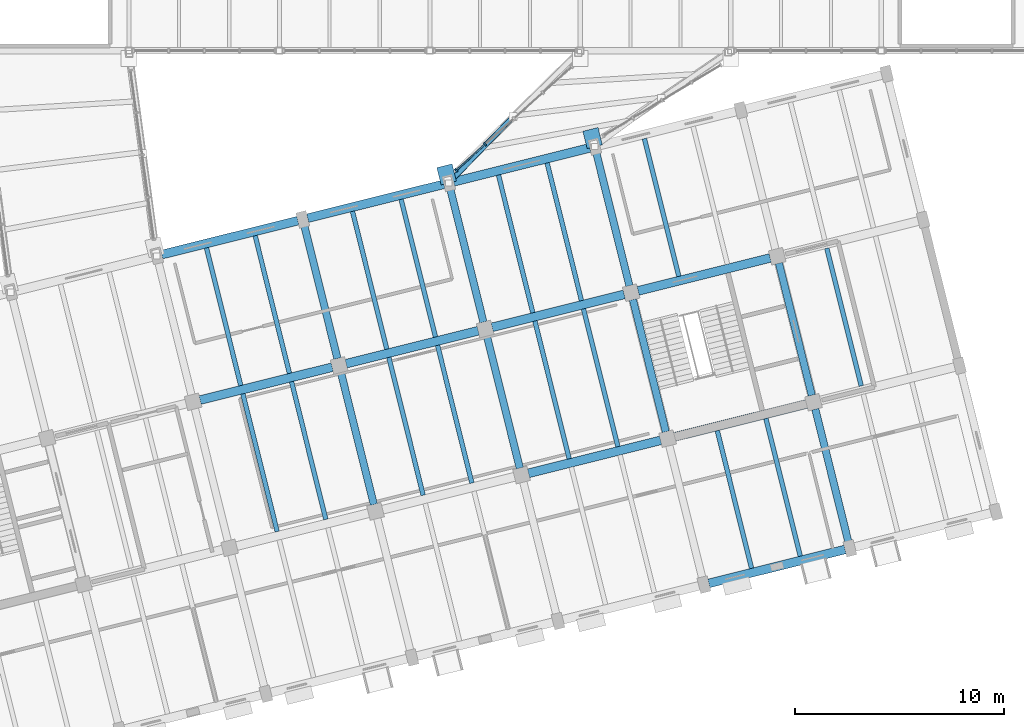
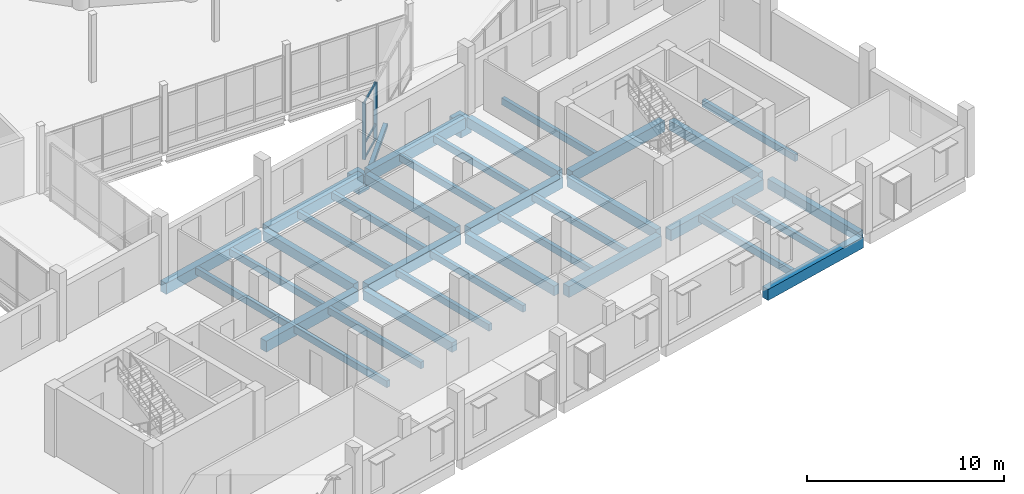
# One storey, part 14 of 63: 36 beams, 6 members, 1 element without a shape of its own.
"""IFC4 building model written with IfcOpenShell, lengths in metres."""

from ifc_helpers import new_model, si_unit, direction, frame, origin, origin_2d, place, context, subcontext, project, spatial, rectangle, hollow_rectangle, extrude, material, material_profile, profile_set, type_object, element, aggregate, save


model = new_model("IFC4")

# Units and contexts
model_context = context("Model", 3, precision=1e-05, world=origin(), true_north=direction((0.0, 1.0)))
body_context = subcontext(model_context, "Body", "Model", "MODEL_VIEW")
ifc_project = project(units=[si_unit("LENGTHUNIT", "METRE"), si_unit("AREAUNIT", "SQUARE_METRE"), si_unit("VOLUMEUNIT", "CUBIC_METRE"), si_unit("PLANEANGLEUNIT", "RADIAN"), si_unit("MASSUNIT", "GRAM", prefix="KILO")], contexts=[model_context])

# Site, building, storey
site_placement = place(None, origin())
site = spatial("IfcSite", under=ifc_project, at=site_placement, CompositionType="ELEMENT")
building_placement = place(site_placement, origin())
building = spatial("IfcBuilding", under=site, at=building_placement, Name="Qiaolan Assembly House", CompositionType="ELEMENT")
storey_placement = place(building_placement, frame((0.0, 0.0, 14.39990234375)))
storey = spatial("IfcBuildingStorey", under=building, at=storey_placement, Name="L03", CompositionType="ELEMENT", Elevation=14.39990234375)

# Beams
ifc_material_1 = material(Name="Concrete C50/60", Category="concrete")
ifc_material_profile_1 = material_profile(ifc_material_1, rectangle(XDim=0.75, YDim=0.949951171875, at=origin_2d()), Name="RCB 750x950")
ifc_profile_set_1 = profile_set([ifc_material_profile_1], Name="Concrete C50/60")
beam_type_1 = type_object("IfcBeamType", Name="BM-CORBEL-750x950", PredefinedType="SPANDREL", material=ifc_profile_set_1)
beam_1_placement = place(storey_placement, frame((65.705078125, 29.66748046875, -1.05078125), z_axis=(-0.241792305191, 0.970328027602, 0.0), x_axis=(-0.970328027602, -0.241792305191, 0.0)))
element("IfcBeam", 1, at=beam_1_placement, inside=storey, type_object=beam_type_1, Name="CB-01 movement-joint RC corbel EB L03 SE", PredefinedType="SPANDREL", context=body_context, shape_type="SweptSolid", body=[
    extrude(rectangle(XDim=0.75, YDim=0.949951171875, at=origin_2d()), origin(), (0.0, 0.0, 1.0), 0.85009765625),
])
beam_2_placement = place(storey_placement, frame((72.691162109375, 31.409423828125, -1.05078125), z_axis=(-0.241859697247, 0.97031123195, 0.0), x_axis=(-0.97031123195, -0.241859697247, 0.0)))
element("IfcBeam", 2, at=beam_2_placement, inside=storey, type_object=beam_type_1, Name="CB-01 movement-joint RC corbel EB L03 SE", PredefinedType="SPANDREL", context=body_context, shape_type="SweptSolid", body=[
    extrude(rectangle(XDim=0.75, YDim=0.949951171875, at=origin_2d()), origin(), (0.0, 0.0, 1.0), 0.849853515625),
])
ifc_material_2 = material(Name="Concrete C40/50", Category="concrete")
ifc_material_profile_2 = material_profile(ifc_material_2, rectangle(XDim=0.35009765625, YDim=0.60009765625, at=origin_2d()), Name="RCB 350x600")
ifc_profile_set_2 = profile_set([ifc_material_profile_2], Name="Concrete C40/50")
beam_type_2 = type_object("IfcBeamType", Name="BM-RC-350x600", PredefinedType="BEAM", material=ifc_profile_set_2)
beam_3_placement = place(storey_placement, frame((62.120361328125, 14.283447265625, -0.514892578125), z_axis=(-0.241901193801, 0.97030088758, 0.0), x_axis=(-0.97030088758, -0.241901193801, 0.0)))
element("IfcBeam", 3, at=beam_3_placement, inside=storey, type_object=beam_type_2, Name="GB-08 beam BMV-SE-L03-04-01", PredefinedType="BEAM", context=body_context, shape_type="SweptSolid", body=[
    extrude(rectangle(XDim=0.35009765625, YDim=0.60009765625, at=origin_2d()), origin(), (0.0, 0.0, 1.0), 6.519775390625),
])
beam_4_placement = place(storey_placement, frame((60.378662109375, 21.26953125, -0.514892578125), z_axis=(-0.241928153868, 0.970294165893, 0.0), x_axis=(-0.970294165893, -0.241928153868, 0.0)))
element("IfcBeam", 4, at=beam_4_placement, inside=storey, type_object=beam_type_2, Name="GB-08 beam BMV-SE-L03-04-02", PredefinedType="BEAM", context=body_context, shape_type="SweptSolid", body=[
    extrude(rectangle(XDim=0.35009765625, YDim=0.60009765625, at=origin_2d()), origin(), (0.0, 0.0, 1.0), 6.619873046875),
])
beam_5_placement = place(storey_placement, frame((69.1064453125, 16.025146484375, -0.514892578125), z_axis=(-0.241892404898, 0.970303078658, 0.0), x_axis=(-0.970303078658, -0.241892404898, 0.0)))
element("IfcBeam", 5, at=beam_5_placement, inside=storey, type_object=beam_type_2, Name="GB-08 beam BMV-SE-L03-05-01", PredefinedType="BEAM", context=body_context, shape_type="SweptSolid", body=[
    extrude(rectangle(XDim=0.35009765625, YDim=0.60009765625, at=origin_2d()), origin(), (0.0, 0.0, 1.0), 6.52001953125),
])
beam_6_placement = place(storey_placement, frame((67.36474609375, 23.01123046875, -0.514892578125), z_axis=(-0.241919497068, 0.970296324294, 0.0), x_axis=(-0.970296324294, -0.241919497068, 0.0)))
element("IfcBeam", 6, at=beam_6_placement, inside=storey, type_object=beam_type_2, Name="GB-08 beam BMV-SE-L03-05-02", PredefinedType="BEAM", context=body_context, shape_type="SweptSolid", body=[
    extrude(rectangle(XDim=0.35009765625, YDim=0.60009765625, at=origin_2d()), origin(), (0.0, 0.0, 1.0), 6.6201171875),
])
beam_7_placement = place(storey_placement, frame((76.0927734375, 17.76708984375, -0.514892578125), z_axis=(-0.241936448129, 0.970292097807, 0.0), x_axis=(-0.970292097807, -0.241936448129, 0.0)))
element("IfcBeam", 7, at=beam_7_placement, inside=storey, type_object=beam_type_2, Name="GB-08 beam BMV-SE-L03-06-01", PredefinedType="BEAM", context=body_context, shape_type="SweptSolid", body=[
    extrude(rectangle(XDim=0.35009765625, YDim=0.60009765625, at=origin_2d()), origin(), (0.0, 0.0, 1.0), 6.519775390625),
])
for number, where, z_axis, x_axis, name in (
    (8, (74.350830078125, 24.753173828125, -0.514892578125), (-0.241928153868, 0.970294165893, 0.0), (-0.970294165893, -0.241928153868, 0.0), "GB-08 beam BMV-SE-L03-06-02"),
    (9, (84.8447265625, 12.42578125, -0.514892578125), (-0.241893432628, 0.970302822448, 0.0), (-0.970302822448, -0.241893432628, 0.0), "GB-08 beam BMV-SE-L03-07-00"),
):
    element("IfcBeam", number, at=place(storey_placement, frame(where, z_axis=z_axis, x_axis=x_axis)), inside=storey, type_object=beam_type_2, Name=name, PredefinedType="BEAM", context=body_context, shape_type="SweptSolid", body=[
        extrude(rectangle(XDim=0.35009765625, YDim=0.60009765625, at=origin_2d()), origin(), (0.0, 0.0, 1.0), 6.619873046875),
    ])
beam_8_placement = place(storey_placement, frame((83.078857421875, 19.5087890625, -0.514892578125), z_axis=(-0.241927658105, 0.970294289504, 0.0), x_axis=(-0.970294289504, -0.241927658105, 0.0)))
element("IfcBeam", 10, at=beam_8_placement, inside=storey, type_object=beam_type_2, Name="GB-08 beam BMV-SE-L03-07-01", PredefinedType="BEAM", context=body_context, shape_type="SweptSolid", body=[
    extrude(rectangle(XDim=0.35009765625, YDim=0.60009765625, at=origin_2d()), origin(), (0.0, 0.0, 1.0), 6.52001953125),
])
ifc_material_profile_3 = material_profile(ifc_material_2, rectangle(XDim=0.419921875, YDim=0.679931640625, at=origin_2d()), Name="RCB 420x680")
ifc_profile_set_3 = profile_set([ifc_material_profile_3], Name="Concrete C40/50")
beam_type_3 = type_object("IfcBeamType", Name="BM-RC-420x680", PredefinedType="BEAM", material=ifc_profile_set_3)
beam_9_placement = place(storey_placement, frame((78.149658203125, 10.509033203125, -0.554931640625), z_axis=(0.970294045957, 0.241928634891, 0.0), x_axis=(-0.241928634891, 0.970294045957, 0.0)))
element("IfcBeam", 11, at=beam_9_placement, inside=storey, type_object=beam_type_3, Name="GB-12 beam BMU-SE-L03-06-00", PredefinedType="BEAM", context=body_context, shape_type="SweptSolid", body=[
    extrude(rectangle(XDim=0.419921875, YDim=0.679931640625, at=origin_2d()), origin(), (0.0, 0.0, 1.0), 6.719970703125),
])
for number, where, z_axis, x_axis, name in (
    (12, (69.518798828125, 15.777587890625, -0.554931640625), (0.970292097807, 0.241936448129, 0.0), (-0.241936448129, 0.970292097807, 0.0), "GB-12 beam BMU-SE-L03-05-01"),
    (13, (76.5048828125, 17.519287109375, -0.554931640625), (0.970292097807, 0.241936448129, 0.0), (-0.241936448129, 0.970292097807, 0.0), "GB-12 beam BMU-SE-L03-06-01"),
    (14, (53.8046875, 19.280029296875, -0.554931640625), (0.970292097807, 0.241936448129, 0.0), (-0.241936448129, 0.970292097807, 0.0), "GB-12 beam BMU-SE-L03-03-02"),
):
    element("IfcBeam", number, at=place(storey_placement, frame(where, z_axis=z_axis, x_axis=x_axis)), inside=storey, type_object=beam_type_3, Name=name, PredefinedType="BEAM", context=body_context, shape_type="SweptSolid", body=[
        extrude(rectangle(XDim=0.419921875, YDim=0.679931640625, at=origin_2d()), origin(), (0.0, 0.0, 1.0), 6.519775390625),
    ])
for number, where, z_axis, x_axis, name in (
    (15, (60.790771484375, 21.02197265625, -0.554931640625), (0.970303078658, 0.241892404898, 0.0), (-0.241892404898, 0.970303078658, 0.0), "GB-12 beam BMU-SE-L03-04-02"),
    (16, (67.77685546875, 22.763671875, -0.554931640625), (0.970294289504, 0.241927658105, 0.0), (-0.241927658105, 0.970294289504, 0.0), "GB-12 beam BMU-SE-L03-05-02"),
    (17, (74.762939453125, 24.505615234375, -0.554931640625), (0.970303078658, 0.241892404898, 0.0), (-0.241892404898, 0.970303078658, 0.0), "GB-12 beam BMU-SE-L03-06-02"),
):
    element("IfcBeam", number, at=place(storey_placement, frame(where, z_axis=z_axis, x_axis=x_axis)), inside=storey, type_object=beam_type_3, Name=name, PredefinedType="BEAM", context=body_context, shape_type="SweptSolid", body=[
        extrude(rectangle(XDim=0.419921875, YDim=0.679931640625, at=origin_2d()), origin(), (0.0, 0.0, 1.0), 6.52001953125),
    ])
for number, where, z_axis, x_axis, name in (
    (18, (51.9658203125, 26.241943359375, -0.554931640625), (0.970294045957, 0.241928634891, 0.0), (-0.241928634891, 0.970294045957, 0.0), "GB-12 beam BMU-SE-L03-03-03"),
    (19, (58.951904296875, 27.98388671875, -0.554931640625), (0.970294045957, 0.241928634891, 0.0), (-0.241928634891, 0.970294045957, 0.0), "GB-12 beam BMU-SE-L03-04-03"),
):
    element("IfcBeam", number, at=place(storey_placement, frame(where, z_axis=z_axis, x_axis=x_axis)), inside=storey, type_object=beam_type_3, Name=name, PredefinedType="BEAM", context=body_context, shape_type="SweptSolid", body=[
        extrude(rectangle(XDim=0.419921875, YDim=0.679931640625, at=origin_2d()), origin(), (0.0, 0.0, 1.0), 6.719970703125),
    ])
beam_10_placement = place(storey_placement, frame((65.93798828125, 29.7255859375, -0.554931640625), z_axis=(0.970296172283, 0.241920106756, 0.0), x_axis=(-0.241920106756, 0.970296172283, 0.0)))
element("IfcBeam", 20, at=beam_10_placement, inside=storey, type_object=beam_type_3, Name="GB-12 beam BMU-SE-L03-05-03", PredefinedType="BEAM", context=body_context, shape_type="SweptSolid", body=[
    extrude(rectangle(XDim=0.419921875, YDim=0.679931640625, at=origin_2d()), origin(), (0.0, 0.0, 1.0), 6.72021484375),
])

# Curtain wall, members
ifc_material_3 = material(Name="Anodised bronze aluminium", Category="aluminium")
curtain_wall_type = type_object("IfcCurtainWallType", Name="CW-BRIDGE-420", PredefinedType="NOTDEFINED", material=ifc_material_3)
curtain_wall_placement = place(storey_placement, origin())
curtain_wall = element("IfcCurtainWall", 21, at=curtain_wall_placement, inside=storey, type_object=curtain_wall_type, Name="CW-03 Glazed Skybridge Curtain Wall EB L03 W", PredefinedType="NOTDEFINED")
ifc_material_profile_4 = material_profile(ifc_material_3, rectangle(XDim=0.077880859375, YDim=0.179931640625, at=origin_2d()), Name="MUL 78x180")
ifc_profile_set_4 = profile_set([ifc_material_profile_4], Name="Anodised bronze aluminium")
member_type_1 = type_object("IfcMemberType", Name="CW-BRIDGE-420-MUL", PredefinedType="MULLION", material=ifc_profile_set_4)
member_1_placement = place(storey_placement, frame((66.054443359375, 30.277099609375, 0.0), z_axis=(0.0, 0.0, 1.0), x_axis=(0.745038147648, 0.667021857624, 0.0)))
member_1 = element("IfcMember", 22, at=member_1_placement, type_object=member_type_1, Name="ML-04 mullion CW-BRIDGE-EB-L03-W-1", PredefinedType="MULLION", context=body_context, shape_type="SweptSolid", body=[
    extrude(rectangle(XDim=0.077880859375, YDim=0.179931640625, at=origin_2d()), origin(), (0.0, 0.0, 1.0), 3.550048828125),
])
member_2_placement = place(storey_placement, frame((67.4384765625, 31.51611328125, 0.0), z_axis=(0.0, 0.0, 1.0), x_axis=(0.745038147648, 0.667021857624, 0.0)))
member_2 = element("IfcMember", 23, at=member_2_placement, type_object=member_type_1, Name="ML-04 mullion CW-BRIDGE-EB-L03-W-2", PredefinedType="MULLION", context=body_context, shape_type="SweptSolid", body=[
    extrude(rectangle(XDim=0.077880859375, YDim=0.179931640625, at=origin_2d()), origin(), (0.0, 0.0, 1.0), 3.550048828125),
])
ifc_material_profile_5 = material_profile(ifc_material_3, rectangle(XDim=0.068115234375, YDim=0.139892578125, at=origin_2d()), Name="TRN 68x140")
ifc_profile_set_5 = profile_set([ifc_material_profile_5], Name="Anodised bronze aluminium")
member_type_2 = type_object("IfcMemberType", Name="CW-BRIDGE-420-TRN", PredefinedType="USERDEFINED", material=ifc_profile_set_5)
member_3_placement = place(storey_placement, frame((66.08349609375, 30.302978515625, 0.030029296875), z_axis=(0.745058300166, 0.666999347341, 0.0), x_axis=(-0.666999347341, 0.745058300166, 0.0)))
member_3 = element("IfcMember", 24, at=member_3_placement, type_object=member_type_2, Name="TR-04 transom CW-BRIDGE-EB-L03-W-1-1", ObjectType="TRANSOM", PredefinedType="USERDEFINED", context=body_context, shape_type="SweptSolid", body=[
    extrude(rectangle(XDim=0.068115234375, YDim=0.139892578125, at=origin_2d()), origin(), (0.0, 0.0, 1.0), 1.779541015625),
])
member_4_placement = place(storey_placement, frame((66.08349609375, 30.302978515625, 0.9501953125), z_axis=(0.745058300166, 0.666999347341, 0.0), x_axis=(-0.666999347341, 0.745058300166, 0.0)))
member_4 = element("IfcMember", 25, at=member_4_placement, type_object=member_type_2, Name="TR-04 transom CW-BRIDGE-EB-L03-W-1-2", ObjectType="TRANSOM", PredefinedType="USERDEFINED", context=body_context, shape_type="SweptSolid", body=[
    extrude(rectangle(XDim=0.068115234375, YDim=0.139892578125, at=origin_2d()), origin(), (0.0, 0.0, 1.0), 1.779541015625),
])
member_5_placement = place(storey_placement, frame((66.08349609375, 30.302978515625, 3.52001953125), z_axis=(0.745058300166, 0.666999347341, 0.0), x_axis=(-0.666999347341, 0.745058300166, 0.0)))
member_5 = element("IfcMember", 26, at=member_5_placement, type_object=member_type_2, Name="TR-04 transom CW-BRIDGE-EB-L03-W-1-3", ObjectType="TRANSOM", PredefinedType="USERDEFINED", context=body_context, shape_type="SweptSolid", body=[
    extrude(rectangle(XDim=0.068115234375, YDim=0.139892578125, at=origin_2d()), origin(), (0.0, 0.0, 1.0), 1.779541015625),
])
aggregate(curtain_wall, [member_1, member_2, member_3, member_4, member_5])

# Beams
ifc_material_profile_6 = material_profile(ifc_material_2, rectangle(XDim=0.219970703125, YDim=0.419921875, at=origin_2d()), Name="RCB 220x420")
ifc_profile_set_6 = profile_set([ifc_material_profile_6], Name="Concrete C40/50")
beam_type_4 = type_object("IfcBeamType", Name="JST-RC-220x420", PredefinedType="JOIST", material=ifc_profile_set_6)
beam_11_placement = place(storey_placement, frame((57.495849609375, 12.990234375, -0.4248046875), z_axis=(-0.241918146508, 0.970296661022, 0.0), x_axis=(-0.970296661022, -0.241918146508, 0.0)))
element("IfcBeam", 27, at=beam_11_placement, inside=storey, type_object=beam_type_4, Name="RJ-03 beam JST-SE-L03-03-01-1", PredefinedType="JOIST", context=body_context, shape_type="SweptSolid", body=[
    extrude(rectangle(XDim=0.219970703125, YDim=0.419921875, at=origin_2d()), origin(), (0.0, 0.0, 1.0), 6.791748046875),
])
for number, where, z_axis, x_axis, name in (
    (28, (59.82470703125, 13.57080078125, -0.4248046875), (-0.241943550075, 0.970290326952, 0.0), (-0.970290326952, -0.241943550075, 0.0), "RJ-03 beam JST-SE-L03-03-01-2"),
    (29, (55.754150390625, 19.976318359375, -0.4248046875), (-0.241943550075, 0.970290326952, 0.0), (-0.970290326952, -0.241943550075, 0.0), "RJ-03 beam JST-SE-L03-03-02-1"),
):
    element("IfcBeam", number, at=place(storey_placement, frame(where, z_axis=z_axis, x_axis=x_axis)), inside=storey, type_object=beam_type_4, Name=name, PredefinedType="JOIST", context=body_context, shape_type="SweptSolid", body=[
        extrude(rectangle(XDim=0.219970703125, YDim=0.419921875, at=origin_2d()), origin(), (0.0, 0.0, 1.0), 6.792236328125),
    ])
for number, where, z_axis, x_axis, name in (
    (30, (58.082763671875, 20.556884765625, -0.4248046875), (-0.241909709048, 0.970298764643, 0.0), (-0.970298764643, -0.241909709048, 0.0), "RJ-03 beam JST-SE-L03-03-02-2"),
    (31, (64.48193359375, 14.73193359375, -0.4248046875), (-0.241909709048, 0.970298764643, 0.0), (-0.970298764643, -0.241909709048, 0.0), "RJ-03 beam JST-SE-L03-04-01-1"),
):
    element("IfcBeam", number, at=place(storey_placement, frame(where, z_axis=z_axis, x_axis=x_axis)), inside=storey, type_object=beam_type_4, Name=name, PredefinedType="JOIST", context=body_context, shape_type="SweptSolid", body=[
        extrude(rectangle(XDim=0.219970703125, YDim=0.419921875, at=origin_2d()), origin(), (0.0, 0.0, 1.0), 6.7919921875),
    ])
for number, where, z_axis, x_axis, name in (
    (32, (66.810791015625, 15.312744140625, -0.4248046875), (-0.241918146508, 0.970296661022, 0.0), (-0.970296661022, -0.241918146508, 0.0), "RJ-03 beam JST-SE-L03-04-01-2"),
    (33, (62.740234375, 21.71826171875, -0.4248046875), (-0.241918146508, 0.970296661022, 0.0), (-0.970296661022, -0.241918146508, 0.0), "RJ-03 beam JST-SE-L03-04-02-1"),
    (34, (65.06884765625, 22.298828125, -0.4248046875), (-0.241918146508, 0.970296661022, 0.0), (-0.970296661022, -0.241918146508, 0.0), "RJ-03 beam JST-SE-L03-04-02-2"),
):
    element("IfcBeam", number, at=place(storey_placement, frame(where, z_axis=z_axis, x_axis=x_axis)), inside=storey, type_object=beam_type_4, Name=name, PredefinedType="JOIST", context=body_context, shape_type="SweptSolid", body=[
        extrude(rectangle(XDim=0.219970703125, YDim=0.419921875, at=origin_2d()), origin(), (0.0, 0.0, 1.0), 6.791748046875),
    ])
beam_12_placement = place(storey_placement, frame((71.46826171875, 16.473876953125, -0.4248046875), z_axis=(-0.241943550075, 0.970290326952, 0.0), x_axis=(-0.970290326952, -0.241943550075, 0.0)))
element("IfcBeam", 35, at=beam_12_placement, inside=storey, type_object=beam_type_4, Name="RJ-03 beam JST-SE-L03-05-01-1", PredefinedType="JOIST", context=body_context, shape_type="SweptSolid", body=[
    extrude(rectangle(XDim=0.219970703125, YDim=0.419921875, at=origin_2d()), origin(), (0.0, 0.0, 1.0), 6.792236328125),
])
for number, where, z_axis, x_axis, name in (
    (36, (73.796875, 17.054443359375, -0.4248046875), (-0.241909709048, 0.970298764643, 0.0), (-0.970298764643, -0.241909709048, 0.0), "RJ-03 beam JST-SE-L03-05-01-2"),
    (37, (69.726318359375, 23.4599609375, -0.4248046875), (-0.241909709048, 0.970298764643, 0.0), (-0.970298764643, -0.241909709048, 0.0), "RJ-03 beam JST-SE-L03-05-02-1"),
    (38, (72.054931640625, 24.04052734375, -0.4248046875), (-0.241909709048, 0.970298764643, 0.0), (-0.970298764643, -0.241909709048, 0.0), "RJ-03 beam JST-SE-L03-05-02-2"),
    (39, (80.196044921875, 11.2294921875, -0.4248046875), (-0.241909709048, 0.970298764643, 0.0), (-0.970298764643, -0.241909709048, 0.0), "RJ-03 beam JST-SE-L03-06-00-1"),
    (40, (82.52490234375, 11.810302734375, -0.4248046875), (-0.241951988568, 0.970288222761, 0.0), (-0.970288222761, -0.241951988568, 0.0), "RJ-03 beam JST-SE-L03-06-00-2"),
):
    element("IfcBeam", number, at=place(storey_placement, frame(where, z_axis=z_axis, x_axis=x_axis)), inside=storey, type_object=beam_type_4, Name=name, PredefinedType="JOIST", context=body_context, shape_type="SweptSolid", body=[
        extrude(rectangle(XDim=0.219970703125, YDim=0.419921875, at=origin_2d()), origin(), (0.0, 0.0, 1.0), 6.7919921875),
    ])
beam_13_placement = place(storey_placement, frame((76.71240234375, 25.201904296875, -0.4248046875), z_axis=(-0.241918146508, 0.970296661022, 0.0), x_axis=(-0.970296661022, -0.241918146508, 0.0)))
element("IfcBeam", 41, at=beam_13_placement, inside=storey, type_object=beam_type_4, Name="RJ-03 beam JST-SE-L03-06-02-1", PredefinedType="JOIST", context=body_context, shape_type="SweptSolid", body=[
    extrude(rectangle(XDim=0.219970703125, YDim=0.419921875, at=origin_2d()), origin(), (0.0, 0.0, 1.0), 6.791748046875),
])
beam_14_placement = place(storey_placement, frame((85.4404296875, 19.95751953125, -0.4248046875), z_axis=(-0.241909709048, 0.970298764643, 0.0), x_axis=(-0.970298764643, -0.241909709048, 0.0)))
element("IfcBeam", 42, at=beam_14_placement, inside=storey, type_object=beam_type_4, Name="RJ-03 beam JST-SE-L03-07-01-1", PredefinedType="JOIST", context=body_context, shape_type="SweptSolid", body=[
    extrude(rectangle(XDim=0.219970703125, YDim=0.419921875, at=origin_2d()), origin(), (0.0, 0.0, 1.0), 6.7919921875),
])

# Member
ifc_material_4 = material(Name="Steel Q355B", Category="steel")
ifc_material_profile_7 = material_profile(ifc_material_4, hollow_rectangle(XDim=0.25, YDim=0.25, WallThickness=0.010009765625, InnerFilletRadius=0.010009765625, OuterFilletRadius=0.02001953125, at=origin_2d()), Name="SHS 250x250x10")
ifc_profile_set_7 = profile_set([ifc_material_profile_7], Name="Steel Q355B")
member_type_3 = type_object("IfcMemberType", Name="MBR-BRACE-BRIDGE-SHS250", PredefinedType="BRACE", material=ifc_profile_set_7)
member_6_placement = place(storey_placement, frame((65.705078125, 29.66748046875, -1.05078125), z_axis=(0.688362065006, 0.70902164868, 0.153120766598), x_axis=(-0.717482573626, 0.696576454198, 0.0)))
element("IfcMember", 43, at=member_6_placement, inside=storey, type_object=member_type_3, Name="BR-03 skybridge brace EB L03", PredefinedType="BRACE", context=body_context, shape_type="SweptSolid", body=[
    extrude(hollow_rectangle(XDim=0.25, YDim=0.25, WallThickness=0.010009765625, InnerFilletRadius=0.010009765625, OuterFilletRadius=0.02001953125, at=origin_2d()), origin(), (0.0, 0.0, 1.0), 4.478759765625),
])

save(model, "model.ifc")
